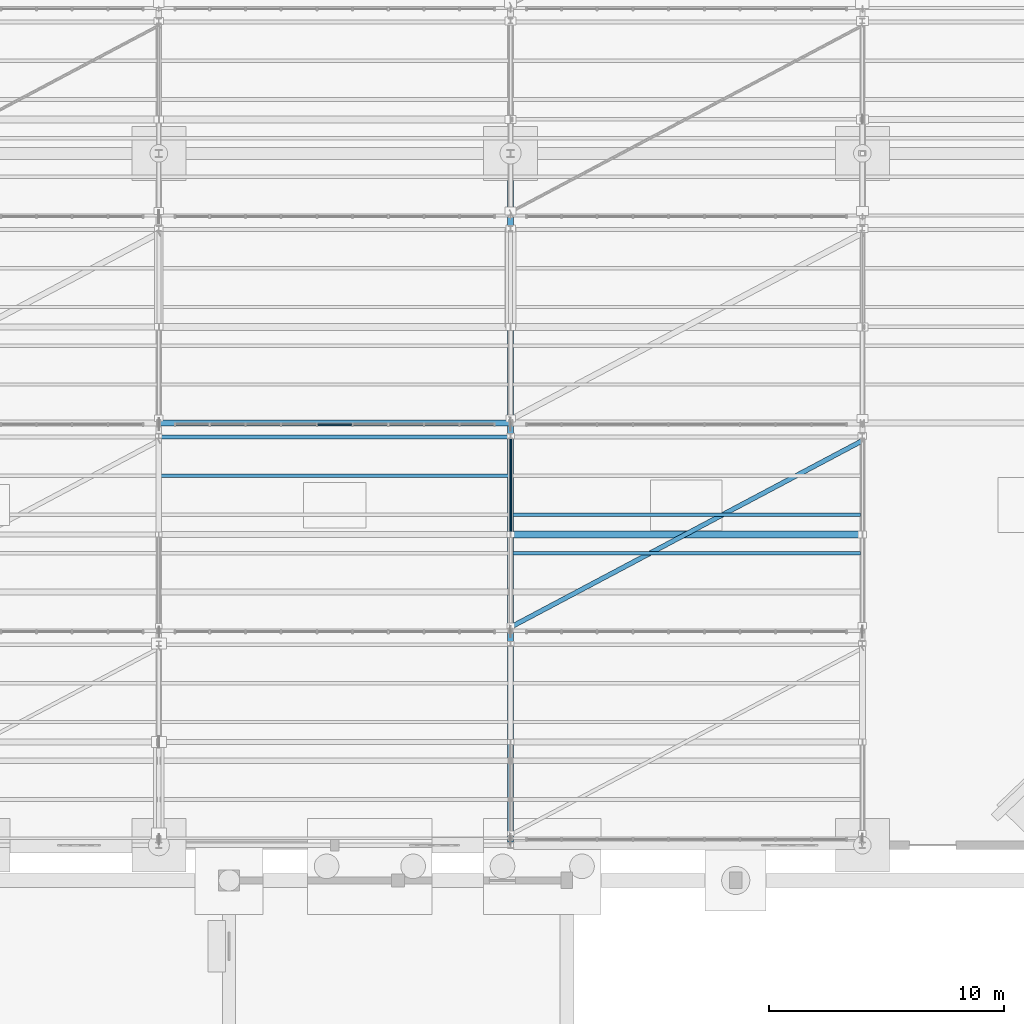
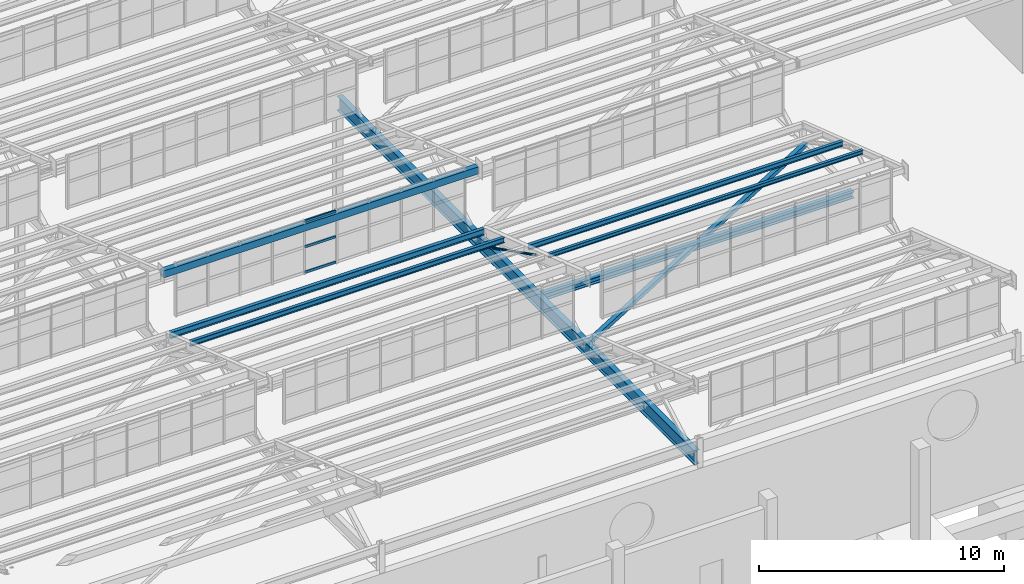
# One storey, part 87 of 285: 6 beams, 6 members, 1 element without a shape of its own.
"""IFC4 building model written with IfcOpenShell, lengths in metres."""

import ifcopenshell
import ifcopenshell.guid

model = None  # the IFC model being written
_history = None  # IfcOwnerHistory: only IFC2X3 demands one
_inside = {}  # id of a spatial element -> (the spatial element, [elements in it])
_under = {}  # id of a project, library or spatial element -> (it, [spatial elements below it])
_declared = {}  # id of a project -> (the project, [libraries it declares])
_typed = {}  # id of a type object -> (the type object, [elements of that type])
_made_of = {}  # id of a material, layer set ... -> (it, [elements and type objects made of it])


def new_model(schema):
    """Start an empty IFC model of exactly this schema.

    Asked for "IFC4X3", IfcOpenShell would pick the latest addendum, in which some entities
    have other attributes; the version numbers below select the first issue.
    IFC2X3 requires an IfcOwnerHistory on every rooted entity: one is made here for all.
    """
    global model, _history
    if schema == "IFC4X3":
        model = ifcopenshell.file(schema_version=(4, 3, 0, 0))
    else:
        model = ifcopenshell.file(schema=schema)
    _inside.clear()
    _under.clear()
    _declared.clear()
    _typed.clear()
    _made_of.clear()
    _history = None
    if model.schema == "IFC2X3":
        org = make("IfcOrganization", Name="unknown")
        user = make(
            "IfcPersonAndOrganization",
            ThePerson=make("IfcPerson", FamilyName="unknown"),
            TheOrganization=org,
        )
        app = make(
            "IfcApplication",
            ApplicationDeveloper=org,
            Version="unknown",
            ApplicationFullName="unknown",
            ApplicationIdentifier="unknown",
        )
        _history = make(
            "IfcOwnerHistory",
            OwningUser=user,
            OwningApplication=app,
            ChangeAction="ADDED",
            CreationDate=0,
        )
    return model


def make(cls, **values):
    """One entity of the class cls with the attributes given. An attribute that is None is left unset."""
    return model.create_entity(
        cls, **{name: value for name, value in values.items() if value is not None}
    )


def rooted(cls, **values):
    """An entity with a GlobalId (a new one), such as an element, a storey or a relation."""
    return make(cls, GlobalId=ifcopenshell.guid.new(), OwnerHistory=_history, **values)


def si_unit(unit_type, name, prefix=None):
    """IfcSIUnit, for example si_unit("LENGTHUNIT", "METRE", prefix="MILLI")."""
    return make("IfcSIUnit", UnitType=unit_type, Prefix=prefix, Name=name)


def assignment(units):
    """IfcUnitAssignment: the units of a project."""
    return None if units is None else make("IfcUnitAssignment", Units=units)


def point(xyz):
    """IfcCartesianPoint."""
    return None if xyz is None else make("IfcCartesianPoint", Coordinates=xyz)


def direction(xyz):
    """IfcDirection."""
    return None if xyz is None else make("IfcDirection", DirectionRatios=xyz)


def frame(location, z_axis=None, x_axis=None):
    """IfcAxis2Placement3D, a coordinate frame: its origin and axes. An axis left out is left unset."""
    return make(
        "IfcAxis2Placement3D",
        Location=point(location),
        Axis=direction(z_axis),
        RefDirection=direction(x_axis),
    )


def frame_2d(location, x_axis=None):
    """IfcAxis2Placement2D, a coordinate frame in the plane: its origin and x axis."""
    return make(
        "IfcAxis2Placement2D", Location=point(location), RefDirection=direction(x_axis)
    )


def origin():
    """The frame at (0, 0, 0) with its axes left unset."""
    return frame((0.0, 0.0, 0.0))


def origin_2d():
    """The frame at (0, 0) in the plane with its x axis left unset."""
    return frame_2d((0.0, 0.0))


def place(relative_to, where):
    """IfcLocalPlacement: puts the frame where relative to a parent placement (None: the world)."""
    return make(
        "IfcLocalPlacement", PlacementRelTo=relative_to, RelativePlacement=where
    )


def context(
    kind, dimensions, precision=None, world=None, true_north=None, identifier=None
):
    """IfcGeometricRepresentationContext, for example the 3D "Model" context."""
    return make(
        "IfcGeometricRepresentationContext",
        ContextIdentifier=identifier,
        ContextType=kind,
        CoordinateSpaceDimension=dimensions,
        Precision=precision,
        WorldCoordinateSystem=world,
        TrueNorth=true_north,
    )


def subcontext(parent, identifier, kind, view, scale=None):
    """IfcGeometricRepresentationSubContext, for example "Body" below "Model"."""
    return make(
        "IfcGeometricRepresentationSubContext",
        ContextIdentifier=identifier,
        ContextType=kind,
        ParentContext=parent,
        TargetScale=scale,
        TargetView=view,
    )


def project(units=None, contexts=None):
    """IfcProject with its units and contexts."""
    return rooted(
        "IfcProject",
        Name="project",
        RepresentationContexts=contexts,
        UnitsInContext=assignment(units),
    )


def spatial(cls, under=None, at=None, **own):
    """A site, building, storey or space (cls), placed at a placement, below another one or the project."""
    s = rooted(cls, ObjectPlacement=at, **own)
    if under is not None:
        _under.setdefault(under.id(), (under, []))[1].append(s)
    return s


def profile(cls, at=None, kind="AREA", **sizes):
    """A parametric profile (cls). Its sizes go by their IFC names, for example OverallWidth=200.0."""
    return make(cls, ProfileType=kind, Position=at, **sizes)


def rectangle(**sizes):
    """IfcRectangleProfileDef."""
    return profile("IfcRectangleProfileDef", **sizes)


def hollow_rectangle(**sizes):
    """IfcRectangleHollowProfileDef."""
    return profile("IfcRectangleHollowProfileDef", **sizes)


def hollow_circle(**sizes):
    """IfcCircleHollowProfileDef."""
    return profile("IfcCircleHollowProfileDef", **sizes)


def i_section(**sizes):
    """IfcIShapeProfileDef."""
    return profile("IfcIShapeProfileDef", **sizes)


def extrude(swept, where, along, depth):
    """IfcExtrudedAreaSolid: the profile swept, set in the frame where, extruded along a direction by depth."""
    return make(
        "IfcExtrudedAreaSolid",
        SweptArea=swept,
        Position=where,
        ExtrudedDirection=direction(along),
        Depth=depth,
    )


def shape(context_of_items, identifier, shape_type, items):
    """IfcShapeRepresentation: the items that make up one representation, for example the "Body"."""
    return make(
        "IfcShapeRepresentation",
        ContextOfItems=context_of_items,
        RepresentationIdentifier=identifier,
        RepresentationType=shape_type,
        Items=items,
    )


def material(Name=None, Category=None):
    """IfcMaterial."""
    return make("IfcMaterial", Name=Name, Category=Category)


def material_profile(
    of_material, cross_section, Name=None, Category=None, Priority=None
):
    """IfcMaterialProfile: a cross section and its material."""
    return make(
        "IfcMaterialProfile",
        Name=Name,
        Material=of_material,
        Profile=cross_section,
        Priority=Priority,
        Category=Category,
    )


def profile_set(profiles, Name=None, composite=None):
    """IfcMaterialProfileSet."""
    return make(
        "IfcMaterialProfileSet",
        Name=Name,
        MaterialProfiles=profiles,
        CompositeProfile=composite,
    )


def made_of(thing, what):
    """Note that an element or type object is made of a material, layer set ...; save() writes the relation."""
    if what is not None:
        _made_of.setdefault(what.id(), (what, []))[1].append(thing)
    return thing


def type_object(cls, material=None, **own):
    """A type object (cls), such as IfcWallType, which elements share."""
    return made_of(rooted(cls, **own), material)


def element(
    cls,
    number,
    at=None,
    inside=None,
    cuts=None,
    type_object=None,
    material=None,
    context=None,
    identifier="Body",
    shape_type=None,
    held_by="IfcProductDefinitionShape",
    body=None,
    shapes=None,
    **own,
):
    """One element of the class cls, such as IfcWall. Its Tag is "e" and its number.

    at: its placement. inside: the storey or other place that contains it. cuts: it is an
    opening in that element (IfcRelVoidsElement). A single representation is given by context,
    identifier, shape_type and body (its items); several are given by shapes. held_by: the class
    of the entity that holds the representations. save() writes the other relations.
    """
    e = rooted(cls, Tag="e%d" % number, ObjectPlacement=at, **own)
    if body is not None:
        shapes = [shape(context, identifier, shape_type, body)]
    if shapes is not None:
        e.Representation = make(held_by, Representations=shapes)
    if inside is not None:
        _inside.setdefault(inside.id(), (inside, []))[1].append(e)
    if cuts is not None:
        rooted(
            "IfcRelVoidsElement", RelatingBuildingElement=cuts, RelatedOpeningElement=e
        )
    if type_object is not None:
        _typed.setdefault(type_object.id(), (type_object, []))[1].append(e)
    return made_of(e, material)


def aggregate(whole, parts):
    """IfcRelAggregates: a whole, such as a stair, and the parts it consists of."""
    return rooted("IfcRelAggregates", RelatingObject=whole, RelatedObjects=parts)


def save(model, path):
    """Write the relations noted so far, then the file.

    IfcRelAggregates (storeys below a building ...), IfcRelContainedInSpatialStructure (elements
    in a storey), IfcRelDefinesByType, IfcRelAssociatesMaterial and IfcRelDeclares: one each for
    every whole, place, type object, material and project.
    """
    for whole, parts in _under.values():
        aggregate(whole, parts)
    for where, things in _inside.values():
        rooted(
            "IfcRelContainedInSpatialStructure",
            RelatedElements=things,
            RelatingStructure=where,
        )
    for kind, things in _typed.values():
        rooted("IfcRelDefinesByType", RelatedObjects=things, RelatingType=kind)
    for what, things in _made_of.values():
        rooted("IfcRelAssociatesMaterial", RelatedObjects=things, RelatingMaterial=what)
    for by, libraries in _declared.values():
        rooted("IfcRelDeclares", RelatingContext=by, RelatedDefinitions=libraries)
    model.write(path)


model = new_model("IFC4")

# Units and contexts
model_context = context("Model", 3, precision=1e-05, world=origin(), true_north=direction((0.0, 1.0)))
body_context = subcontext(model_context, "Body", "Model", "MODEL_VIEW")
ifc_project = project(units=[si_unit("LENGTHUNIT", "METRE"), si_unit("AREAUNIT", "SQUARE_METRE"), si_unit("VOLUMEUNIT", "CUBIC_METRE"), si_unit("PLANEANGLEUNIT", "RADIAN"), si_unit("MASSUNIT", "GRAM", prefix="KILO")], contexts=[model_context])

# Site, building, storey
site_placement = place(None, origin())
site = spatial("IfcSite", under=ifc_project, at=site_placement, CompositionType="ELEMENT")
building_placement = place(site_placement, origin())
building = spatial("IfcBuilding", under=site, at=building_placement, Name="Solanera Park Tramway Depot", CompositionType="ELEMENT")
storey_placement = place(building_placement, origin())
storey = spatial("IfcBuildingStorey", under=building, at=storey_placement, Name="L00", CompositionType="ELEMENT", Elevation=0.0)

# Curtain wall, members
ifc_material_1 = material(Name="Bronze-anodised thermally broken aluminium curtain wall", Category="aluminium")
curtain_wall_type = type_object("IfcCurtainWallType", Name="Sawtooth Clerestory Monitor Curtain Wall", PredefinedType="NOTDEFINED", material=ifc_material_1)
curtain_wall_placement = place(storey_placement, origin())
curtain_wall = element("IfcCurtainWall", 1, at=curtain_wall_placement, inside=storey, type_object=curtain_wall_type, Name="L00 Sawtooth Clerestory Monitor Curtain Wall #018", PredefinedType="NOTDEFINED")
ifc_material_2 = material(Name="Bronze-anodised structural aluminium 6063-T6", Category="aluminium")
ifc_material_profile_1 = material_profile(ifc_material_2, rectangle(XDim=0.06494140625, YDim=0.1201171875, at=origin_2d()), Name="Curtain Wall Transom 65x120")
ifc_profile_set_1 = profile_set([ifc_material_profile_1], Name="Bronze-anodised structural aluminium 6063-T6")
member_type_1 = type_object("IfcMemberType", Name="Curtain Wall Transom 65x120", PredefinedType="USERDEFINED", material=ifc_profile_set_1)
member_1_placement = place(storey_placement, frame((111.766845703125, 73.449951171875, 7.81005859375), z_axis=(1.0, 0.0, 0.0), x_axis=(0.0, 1.0, 0.0)))
member_1 = element("IfcMember", 2, at=member_1_placement, type_object=member_type_1, Name="CW-L00-018 Transom R1.C5", ObjectType="TRANSOM", PredefinedType="USERDEFINED", context=body_context, shape_type="SweptSolid", body=[
    extrude(rectangle(XDim=0.06494140625, YDim=0.1201171875, at=origin_2d()), origin(), (0.0, 0.0, 1.0), 1.46630859375),
])
member_2_placement = place(storey_placement, frame((111.766845703125, 73.449951171875, 9.08056640625), z_axis=(1.0, 0.0, 0.0), x_axis=(0.0, 1.0, 0.0)))
member_2 = element("IfcMember", 3, at=member_2_placement, type_object=member_type_1, Name="CW-L00-018 Transom R2.C5", ObjectType="TRANSOM", PredefinedType="USERDEFINED", context=body_context, shape_type="SweptSolid", body=[
    extrude(rectangle(XDim=0.06494140625, YDim=0.1201171875, at=origin_2d()), origin(), (0.0, 0.0, 1.0), 1.46630859375),
])
member_3_placement = place(storey_placement, frame((111.766845703125, 73.449951171875, 10.351318359375), z_axis=(1.0, 0.0, 0.0), x_axis=(0.0, 1.0, 0.0)))
member_3 = element("IfcMember", 4, at=member_3_placement, type_object=member_type_1, Name="CW-L00-018 Transom R3.C5", ObjectType="TRANSOM", PredefinedType="USERDEFINED", context=body_context, shape_type="SweptSolid", body=[
    extrude(rectangle(XDim=0.06494140625, YDim=0.1201171875, at=origin_2d()), origin(), (0.0, 0.0, 1.0), 1.46630859375),
])
aggregate(curtain_wall, [member_1, member_2, member_3])

# Member
ifc_material_3 = material(Name="Steel AS/NZS 3679.1 Grade 350", Category="steel")
ifc_material_profile_2 = material_profile(ifc_material_3, i_section(OverallWidth=0.306884765625, OverallDepth=0.314697265625, WebThickness=0.011962890625, FlangeThickness=0.018798828125, at=origin_2d()), Name="310UC118")
ifc_profile_set_2 = profile_set([ifc_material_profile_2], Name="Steel AS/NZS 3679.1 Grade 350")
member_type_2 = type_object("IfcMemberType", Name="Secondary Truss Chord 310UC118", PredefinedType="CHORD", material=ifc_profile_set_2)
member_4_placement = place(storey_placement, frame((120.087890625, 68.75, 6.5), z_axis=(1.0, 0.0, 0.0), x_axis=(0.0, 1.0, 0.0)))
element("IfcMember", 5, at=member_4_placement, inside=storey, type_object=member_type_2, Name="Sawtooth Longitudinal Tie Chord 310UC118 #0083", PredefinedType="CHORD", context=body_context, shape_type="SweptSolid", body=[
    extrude(i_section(OverallWidth=0.306884765625, OverallDepth=0.314697265625, WebThickness=0.011962890625, FlangeThickness=0.018798828125, at=origin_2d()), origin(), (0.0, 0.0, 1.0), 14.82421875),
])

# Beams
ifc_material_4 = material(Name="Steel AS/NZS 3679.1 Grade 350", Category="steel")
ifc_material_profile_3 = material_profile(ifc_material_4, i_section(OverallWidth=0.25, OverallDepth=0.699951171875, WebThickness=0.010009765625, FlangeThickness=0.02001953125, at=origin_2d()), Name="700WB130")
ifc_profile_set_3 = profile_set([ifc_material_profile_3], Name="Steel AS/NZS 3679.1 Grade 350")
beam_type_1 = type_object("IfcBeamType", Name="Steel Beam 700WB130", PredefinedType="BEAM", material=ifc_profile_set_3)
beam_1_placement = place(storey_placement, frame((120.0, 55.6279296875, 6.5), z_axis=(0.0, 1.0, 0.0), x_axis=(-1.0, 0.0, 0.0)))
element("IfcBeam", 6, at=beam_1_placement, inside=storey, type_object=beam_type_1, Name="Sawtooth ROOF TRUSS Bottom Chord 700WB130 #0391", PredefinedType="BEAM", context=body_context, shape_type="SweptSolid", body=[
    extrude(i_section(OverallWidth=0.25, OverallDepth=0.699951171875, WebThickness=0.010009765625, FlangeThickness=0.02001953125, at=origin_2d()), origin(), (0.0, 0.0, 1.0), 29.216796875),
])
ifc_material_5 = material(Name="Steel AS/NZS 3679.1 Grade 350", Category="steel")
ifc_material_profile_4 = material_profile(ifc_material_5, i_section(OverallWidth=0.13330078125, OverallDepth=0.203125, WebThickness=0.005859375, FlangeThickness=0.0078125, at=origin_2d()), Name="200UB25.4")
ifc_profile_set_4 = profile_set([ifc_material_profile_4], Name="Steel AS/NZS 3679.1 Grade 350")
beam_type_2 = type_object("IfcBeamType", Name="Steel Joist Purlin 200UB25.4", PredefinedType="JOIST", material=ifc_profile_set_4)
beam_2_placement = place(storey_placement, frame((120.0966796875, 67.949951171875, 9.06201171875), z_axis=(1.0, 0.0, 0.0), x_axis=(0.0, 1.0, 0.0)))
element("IfcBeam", 7, at=beam_2_placement, inside=storey, type_object=beam_type_2, Name="Sawtooth Roof Purlin 200UB25.4 B02.3", PredefinedType="JOIST", context=body_context, shape_type="SweptSolid", body=[
    extrude(i_section(OverallWidth=0.13330078125, OverallDepth=0.203125, WebThickness=0.005859375, FlangeThickness=0.0078125, at=origin_2d()), origin(), (0.0, 0.0, 1.0), 14.828369140625),
])
ifc_material_6 = material(Name="Steel AS/NZS 3679.1 Grade 350", Category="steel")
ifc_material_profile_5 = material_profile(ifc_material_6, i_section(OverallWidth=0.14599609375, OverallDepth=0.251708984375, WebThickness=0.006103515625, FlangeThickness=0.008544921875, at=origin_2d()), Name="250UB31.4")
ifc_profile_set_5 = profile_set([ifc_material_profile_5], Name="Steel AS/NZS 3679.1 Grade 350")
beam_type_3 = type_object("IfcBeamType", Name="Steel Joist Purlin 250UB31.4", PredefinedType="JOIST", material=ifc_profile_set_5)
beam_3_placement = place(storey_placement, frame((120.0966796875, 69.60009765625, 8.483642578125), z_axis=(1.0, 0.0, 0.0), x_axis=(0.0, 1.0, 0.0)))
element("IfcBeam", 8, at=beam_3_placement, inside=storey, type_object=beam_type_3, Name="Sawtooth Roof Purlin 250UB31.4 B02.4", PredefinedType="JOIST", context=body_context, shape_type="SweptSolid", body=[
    extrude(i_section(OverallWidth=0.14599609375, OverallDepth=0.251708984375, WebThickness=0.006103515625, FlangeThickness=0.008544921875, at=origin_2d()), origin(), (0.0, 0.0, 1.0), 14.828369140625),
])
ifc_material_7 = material(Name="Steel AS/NZS 3679.1 Grade 350", Category="steel")
ifc_material_profile_6 = material_profile(ifc_material_7, i_section(OverallWidth=0.146484375, OverallDepth=0.256103515625, WebThickness=0.00634765625, FlangeThickness=0.010986328125, at=origin_2d()), Name="250UB37.3")
ifc_profile_set_6 = profile_set([ifc_material_profile_6], Name="Steel AS/NZS 3679.1 Grade 350")
beam_type_4 = type_object("IfcBeamType", Name="Steel Joist Purlin 250UB37.3", PredefinedType="JOIST", material=ifc_profile_set_6)
beam_4_placement = place(storey_placement, frame((105.087158203125, 71.25, 7.92919921875), z_axis=(1.0, 0.0, 0.0), x_axis=(0.0, 1.0, 0.0)))
element("IfcBeam", 9, at=beam_4_placement, inside=storey, type_object=beam_type_4, Name="Sawtooth Roof Purlin 250UB37.3 B02.5", PredefinedType="JOIST", context=body_context, shape_type="SweptSolid", body=[
    extrude(i_section(OverallWidth=0.146484375, OverallDepth=0.256103515625, WebThickness=0.00634765625, FlangeThickness=0.010986328125, at=origin_2d()), origin(), (0.0, 0.0, 1.0), 14.816162109375),
])
ifc_material_8 = material(Name="Steel AS/NZS 3679.1 Grade 350", Category="steel")
ifc_material_profile_7 = material_profile(ifc_material_8, i_section(OverallWidth=0.1650390625, OverallDepth=0.3037109375, WebThickness=0.006103515625, FlangeThickness=0.01025390625, at=origin_2d()), Name="310UB40.4")
ifc_profile_set_7 = profile_set([ifc_material_profile_7], Name="Steel AS/NZS 3679.1 Grade 350")
beam_type_5 = type_object("IfcBeamType", Name="Steel Joist Purlin 310UB40.4", PredefinedType="JOIST", material=ifc_profile_set_7)
beam_5_placement = place(storey_placement, frame((105.087158203125, 72.89990234375, 7.35009765625), z_axis=(1.0, 0.0, 0.0), x_axis=(0.0, 1.0, 0.0)))
element("IfcBeam", 10, at=beam_5_placement, inside=storey, type_object=beam_type_5, Name="Sawtooth Roof Purlin 310UB40.4 B02.6", PredefinedType="JOIST", context=body_context, shape_type="SweptSolid", body=[
    extrude(i_section(OverallWidth=0.1650390625, OverallDepth=0.3037109375, WebThickness=0.006103515625, FlangeThickness=0.01025390625, at=origin_2d()), origin(), (0.0, 0.0, 1.0), 14.816162109375),
])
ifc_material_9 = material(Name="Steel AS/NZS 1163 Grade C350L0", Category="steel")
ifc_material_profile_8 = material_profile(ifc_material_9, hollow_rectangle(XDim=0.25, YDim=0.35009765625, WallThickness=0.010009765625, at=origin_2d()), Name="350x250x10.0 RHS")
ifc_profile_set_8 = profile_set([ifc_material_profile_8], Name="Steel AS/NZS 1163 Grade C350L0")
beam_type_6 = type_object("IfcBeamType", Name="Steel Joist Purlin 350x250x10.0 RHS", PredefinedType="JOIST", material=ifc_profile_set_8)
beam_6_placement = place(storey_placement, frame((105.074951171875, 73.5, 10.0732421875), z_axis=(1.0, 0.0, 0.0), x_axis=(0.0, 1.0, 0.0)))
element("IfcBeam", 11, at=beam_6_placement, inside=storey, type_object=beam_type_6, Name="Sawtooth Roof Purlin 350x250x10.0 RHS B03.1", PredefinedType="JOIST", context=body_context, shape_type="SweptSolid", body=[
    extrude(hollow_rectangle(XDim=0.25, YDim=0.35009765625, WallThickness=0.010009765625, at=origin_2d()), origin(), (0.0, 0.0, 1.0), 14.84716796875),
])

# Members
ifc_material_10 = material(Name="Steel AS/NZS 1163 Grade C350L0", Category="steel")
ifc_material_profile_9 = material_profile(ifc_material_10, hollow_circle(Radius=0.05712890625, WallThickness=0.0048828125, at=origin_2d()), Name="114.3x4.8 CHS")
ifc_profile_set_9 = profile_set([ifc_material_profile_9], Name="Steel AS/NZS 1163 Grade C350L0")
member_type_3 = type_object("IfcMemberType", Name="Truss and Frame Brace 114.3x4.8 CHS", PredefinedType="BRACE", material=ifc_profile_set_9)
member_5_placement = place(storey_placement, frame((120.0, 72.949951171875, 6.5), z_axis=(0.0, -0.891893316909, 0.452245852665), x_axis=(1.0, 0.0, 0.0)))
element("IfcMember", 12, at=member_5_placement, inside=storey, type_object=member_type_3, Name="Sawtooth ROOF TRUSS Diagonal 114.3x4.8 CHS #0068", PredefinedType="BRACE", context=body_context, shape_type="SweptSolid", body=[
    extrude(hollow_circle(Radius=0.05712890625, WallThickness=0.0048828125, at=origin_2d()), origin(), (0.0, 0.0, 1.0), 4.708984375),
])
ifc_material_11 = material(Name="Steel AS/NZS 1163 Grade C350L0", Category="steel")
ifc_material_profile_10 = material_profile(ifc_material_11, hollow_rectangle(XDim=0.199951171875, YDim=0.199951171875, WallThickness=0.008056640625, at=origin_2d()), Name="200x200x8.0 SHS")
ifc_profile_set_10 = profile_set([ifc_material_profile_10], Name="Steel AS/NZS 1163 Grade C350L0")
member_type_4 = type_object("IfcMemberType", Name="Truss and Frame Brace 200x200x8.0 SHS", PredefinedType="BRACE", material=ifc_profile_set_10)
member_6_placement = place(storey_placement, frame((120.001953125, 64.800048828125, 6.5), z_axis=(0.883523615038, 0.468386615598, 0.0), x_axis=(-0.468386615598, 0.883523615038, 0.0)))
element("IfcMember", 13, at=member_6_placement, inside=storey, type_object=member_type_4, Name="Roof Plane Cyclonic Brace 200x200x8.0 SHS #0084", PredefinedType="BRACE", context=body_context, shape_type="SweptSolid", body=[
    extrude(hollow_rectangle(XDim=0.199951171875, YDim=0.199951171875, WallThickness=0.008056640625, at=origin_2d()), origin(), (0.0, 0.0, 1.0), 16.97314453125),
])

save(model, "model.ifc")
